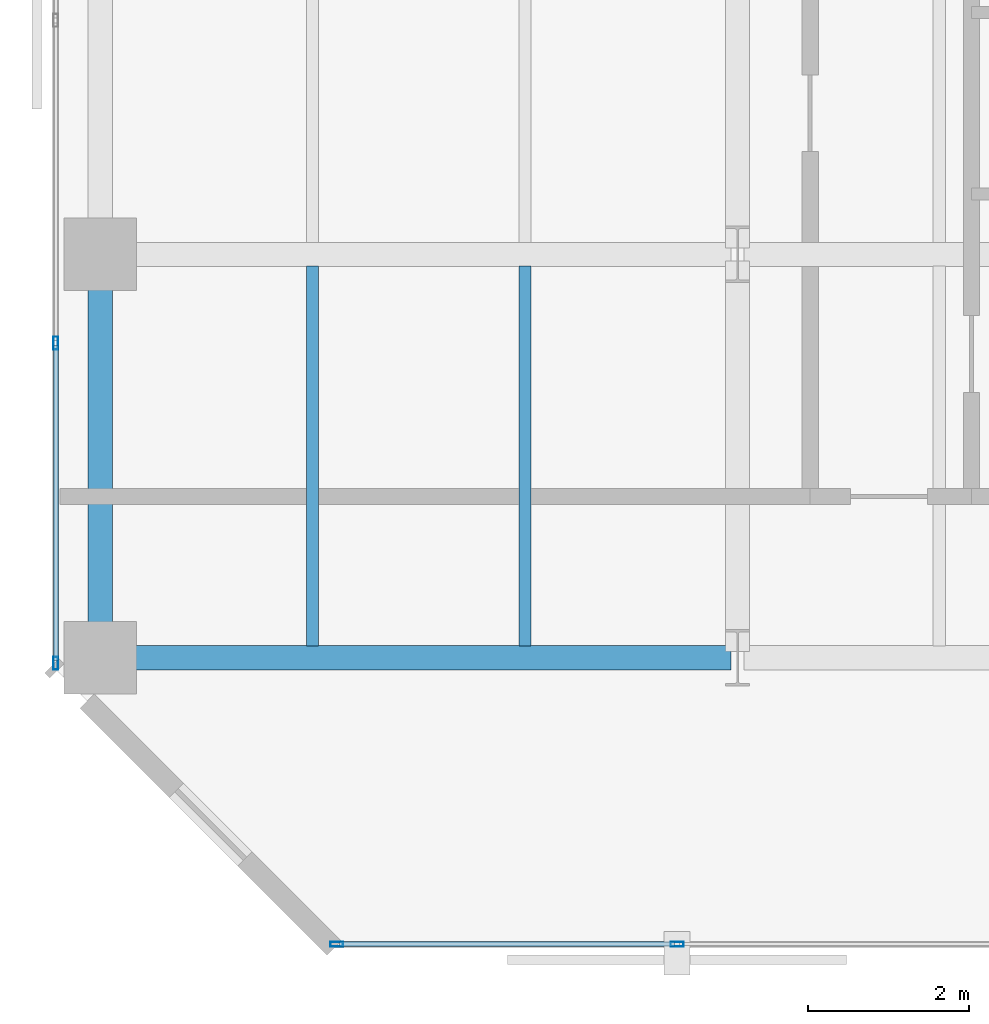
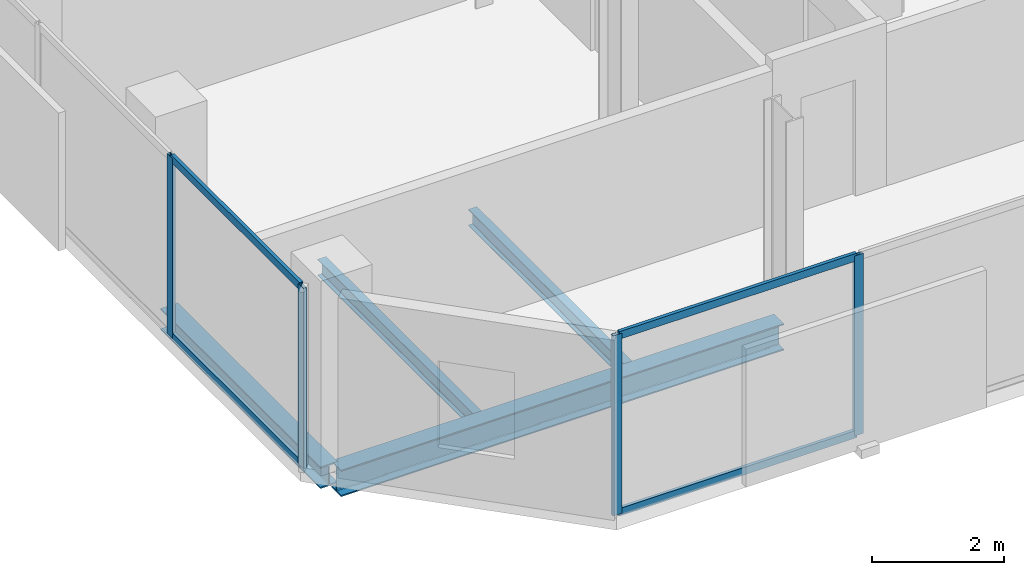
# One storey, part 3 of 34: 8 members, 4 beams, 2 elements without a shape of their own.
"""IFC4 building model written with IfcOpenShell, lengths in metres."""

from ifc_helpers import new_model, si_unit, direction, frame, origin, origin_2d, place, context, subcontext, project, spatial, hollow_rectangle, i_section, extrude, material, layer, layer_set, material_profile, profile_set, type_object, element, aggregate, save


model = new_model("IFC4")

# Units and contexts
model_context = context("Model", 3, precision=1e-05, world=origin(), true_north=direction((0.0, 1.0)))
body_context = subcontext(model_context, "Body", "Model", "MODEL_VIEW")
ifc_project = project(units=[si_unit("LENGTHUNIT", "METRE"), si_unit("AREAUNIT", "SQUARE_METRE"), si_unit("VOLUMEUNIT", "CUBIC_METRE"), si_unit("PLANEANGLEUNIT", "RADIAN"), si_unit("MASSUNIT", "GRAM", prefix="KILO")], contexts=[model_context])

# Site, building, storey
site_placement = place(None, origin())
site = spatial("IfcSite", under=ifc_project, at=site_placement, CompositionType="ELEMENT")
building_placement = place(site_placement, origin())
building = spatial("IfcBuilding", under=site, at=building_placement, Name="Catumbela Crestline Tower", CompositionType="ELEMENT")
storey_placement = place(building_placement, frame((0.0, 0.0, 97.2)))
storey = spatial("IfcBuildingStorey", under=building, at=storey_placement, Name="L24", CompositionType="ELEMENT", Elevation=97.2)

# Beams
ifc_material_1 = material(Name="Structural steel S355J2", Category="steel")
ifc_material_profile_1 = material_profile(ifc_material_1, i_section(OverallWidth=0.3, OverallDepth=0.49, WebThickness=0.012, FlangeThickness=0.023, FilletRadius=0.027, at=origin_2d()), Name="HEA 500")
ifc_profile_set_1 = profile_set([ifc_material_profile_1], Name="Structural steel S355J2")
beam_type_1 = type_object("IfcBeamType", Name="BG-HEA500", PredefinedType="BEAM", material=ifc_profile_set_1)
beam_1_placement = place(storey_placement, frame((0.68, 8.6, -0.505), z_axis=(1.0, 0.0, 0.0), x_axis=(0.0, 1.0, 0.0)))
element("IfcBeam", 1, at=beam_1_placement, inside=storey, type_object=beam_type_1, Name="L24 Beam BM-L24-WEW43", PredefinedType="BEAM", context=body_context, shape_type="SweptSolid", body=[
    extrude(i_section(OverallWidth=0.3, OverallDepth=0.49, WebThickness=0.012, FlangeThickness=0.023, FilletRadius=0.027, at=origin_2d()), origin(), (0.0, 0.0, 1.0), 7.74),
])
ifc_material_profile_2 = material_profile(ifc_material_1, i_section(OverallWidth=0.15, OverallDepth=0.3, WebThickness=0.0071, FlangeThickness=0.0107, FilletRadius=0.015, at=origin_2d()), Name="IPE 300")
ifc_profile_set_2 = profile_set([ifc_material_profile_2], Name="Structural steel S355J2")
beam_type_2 = type_object("IfcBeamType", Name="BJ-IPE300", PredefinedType="JOIST", material=ifc_profile_set_2)
for number, where, z_axis, x_axis, name in (
    (2, (3.233, 8.747, -0.41), (0.0, 1.0, 0.0), (-1.0, 0.0, 0.0), "L24 Joist JS-L24-WG63"),
    (3, (5.867, 8.747, -0.41), (0.0, 1.0, 0.0), (-1.0, 0.0, 0.0), "L24 Joist JS-L24-WG64"),
):
    element("IfcBeam", number, at=place(storey_placement, frame(where, z_axis=z_axis, x_axis=x_axis)), inside=storey, type_object=beam_type_2, Name=name, PredefinedType="JOIST", context=body_context, shape_type="SweptSolid", body=[
        extrude(i_section(OverallWidth=0.15, OverallDepth=0.3, WebThickness=0.0071, FlangeThickness=0.0107, FilletRadius=0.015, at=origin_2d()), origin(), (0.0, 0.0, 1.0), 4.706),
    ])

# Curtain wall, members
ifc_material_2 = material(Name="Aluminium alloy AW-6060-T66", Category="aluminium")
ifc_layer = layer(ifc_material_2, 0.18, Name="Aluminium alloy AW-6060-T66")
ifc_layer_set = layer_set([ifc_layer], Name="Aluminium alloy AW-6060-T66")
curtain_wall_type = type_object("IfcCurtainWallType", Name="CWU-Z2", PredefinedType="USERDEFINED", material=ifc_layer_set)
curtain_wall_1_placement = place(storey_placement, origin())
curtain_wall_1 = element("IfcCurtainWall", 4, at=curtain_wall_1_placement, inside=storey, type_object=curtain_wall_type, Name="L24 Unitised Curtain Wall CW-L24-E0S1", ObjectType="UNITISED", PredefinedType="USERDEFINED")
ifc_material_profile_3 = material_profile(ifc_material_2, hollow_rectangle(XDim=0.06, YDim=0.16, WallThickness=0.004, at=origin_2d()), Name="ALU 160x60x4")
ifc_profile_set_3 = profile_set([ifc_material_profile_3], Name="Aluminium alloy AW-6060-T66")
member_type_1 = type_object("IfcMemberType", Name="MUL-160X60", PredefinedType="MULLION", material=ifc_profile_set_3)
member_1_placement = place(storey_placement, frame((3.5325, 5.05, 0.0), z_axis=(0.0, 0.0, 1.0), x_axis=(0.0, 1.0, 0.0)))
member_1 = element("IfcMember", 5, at=member_1_placement, type_object=member_type_1, Name="CWU-Z2 mullion 1", PredefinedType="MULLION", context=body_context, shape_type="SweptSolid", body=[
    extrude(hollow_rectangle(XDim=0.06, YDim=0.16, WallThickness=0.004, at=origin_2d()), origin(), (0.0, 0.0, 1.0), 3.33),
])
member_2_placement = place(storey_placement, frame((7.75, 5.05, 0.0), z_axis=(0.0, 0.0, 1.0), x_axis=(0.0, 1.0, 0.0)))
member_2 = element("IfcMember", 6, at=member_2_placement, type_object=member_type_1, Name="CWU-Z2 mullion 2", PredefinedType="MULLION", context=body_context, shape_type="SweptSolid", body=[
    extrude(hollow_rectangle(XDim=0.06, YDim=0.16, WallThickness=0.004, at=origin_2d()), origin(), (0.0, 0.0, 1.0), 3.33),
])

curtain_wall_2_placement = place(storey_placement, origin())
curtain_wall_2 = element("IfcCurtainWall", 7, at=curtain_wall_2_placement, inside=storey, type_object=curtain_wall_type, Name="L24 Unitised Curtain Wall CW-L24-E9S1", ObjectType="UNITISED", PredefinedType="USERDEFINED")
member_3_placement = place(storey_placement, frame((0.05, 12.5, 0.0), z_axis=(0.0, 0.0, 1.0), x_axis=(1.0, 0.0, 0.0)))
member_3 = element("IfcMember", 8, at=member_3_placement, type_object=member_type_1, Name="CWU-Z2 mullion 9", PredefinedType="MULLION", context=body_context, shape_type="SweptSolid", body=[
    extrude(hollow_rectangle(XDim=0.06, YDim=0.16, WallThickness=0.004, at=origin_2d()), origin(), (0.0, 0.0, 1.0), 3.33),
])
member_4_placement = place(storey_placement, frame((0.05, 8.5325, 0.0), z_axis=(0.0, 0.0, 1.0), x_axis=(1.0, 0.0, 0.0)))
member_4 = element("IfcMember", 9, at=member_4_placement, type_object=member_type_1, Name="CWU-Z2 mullion 10", PredefinedType="MULLION", context=body_context, shape_type="SweptSolid", body=[
    extrude(hollow_rectangle(XDim=0.06, YDim=0.16, WallThickness=0.004, at=origin_2d()), origin(), (0.0, 0.0, 1.0), 3.33),
])

# Beam
ifc_material_profile_4 = material_profile(ifc_material_1, i_section(OverallWidth=0.3, OverallDepth=0.4, WebThickness=0.0135, FlangeThickness=0.024, FilletRadius=0.027, at=origin_2d()), Name="HEB 400")
ifc_profile_set_4 = profile_set([ifc_material_profile_4], Name="Structural steel S355J2")
beam_type_3 = type_object("IfcBeamType", Name="BS-HEB400", PredefinedType="SPANDREL", material=ifc_profile_set_4)
beam_2_placement = place(storey_placement, frame((0.6, 8.68, -0.46), z_axis=(0.0, 1.0, 0.0), x_axis=(-1.0, 0.0, 0.0)))
element("IfcBeam", 10, at=beam_2_placement, inside=storey, type_object=beam_type_3, Name="L24 Spandrel SP-L24-WNS52", PredefinedType="SPANDREL", context=body_context, shape_type="SweptSolid", body=[
    extrude(i_section(OverallWidth=0.3, OverallDepth=0.4, WebThickness=0.0135, FlangeThickness=0.024, FilletRadius=0.027, at=origin_2d()), origin(), (0.0, 0.0, 1.0), 4.84),
])

# Member
ifc_material_profile_5 = material_profile(ifc_material_2, hollow_rectangle(XDim=0.06, YDim=0.14, WallThickness=0.004, at=origin_2d()), Name="ALU 140x60x4")
ifc_profile_set_5 = profile_set([ifc_material_profile_5], Name="Aluminium alloy AW-6060-T66")
member_type_2 = type_object("IfcMemberType", Name="TRN-140X60", PredefinedType="USERDEFINED", material=ifc_profile_set_5)
member_5_placement = place(storey_placement, frame((3.565, 5.05, 0.03), z_axis=(1.0, 0.0, 0.0), x_axis=(0.0, 1.0, 0.0)))
member_5 = element("IfcMember", 11, at=member_5_placement, type_object=member_type_2, Name="CWU-Z2 transom 1.1", ObjectType="TRANSOM", PredefinedType="USERDEFINED", context=body_context, shape_type="SweptSolid", body=[
    extrude(hollow_rectangle(XDim=0.06, YDim=0.14, WallThickness=0.004, at=origin_2d()), origin(), (0.0, 0.0, 1.0), 4.1525),
])

member_6_placement = place(storey_placement, frame((3.565, 5.05, 3.3), z_axis=(1.0, 0.0, 0.0), x_axis=(0.0, 1.0, 0.0)))
member_6 = element("IfcMember", 12, at=member_6_placement, type_object=member_type_2, Name="CWU-Z2 transom 1.2", ObjectType="TRANSOM", PredefinedType="USERDEFINED", context=body_context, shape_type="SweptSolid", body=[
    extrude(hollow_rectangle(XDim=0.06, YDim=0.14, WallThickness=0.004, at=origin_2d()), origin(), (0.0, 0.0, 1.0), 4.1525),
])

aggregate(curtain_wall_1, [member_1, member_2, member_5, member_6])

member_7_placement = place(storey_placement, frame((0.05, 12.4675, 0.03), z_axis=(0.0, -1.0, 0.0), x_axis=(1.0, 0.0, 0.0)))
member_7 = element("IfcMember", 13, at=member_7_placement, type_object=member_type_2, Name="CWU-Z2 transom 9.1", ObjectType="TRANSOM", PredefinedType="USERDEFINED", context=body_context, shape_type="SweptSolid", body=[
    extrude(hollow_rectangle(XDim=0.06, YDim=0.14, WallThickness=0.004, at=origin_2d()), origin(), (0.0, 0.0, 1.0), 3.9025),
])

member_8_placement = place(storey_placement, frame((0.05, 12.4675, 3.3), z_axis=(0.0, -1.0, 0.0), x_axis=(1.0, 0.0, 0.0)))
member_8 = element("IfcMember", 14, at=member_8_placement, type_object=member_type_2, Name="CWU-Z2 transom 9.2", ObjectType="TRANSOM", PredefinedType="USERDEFINED", context=body_context, shape_type="SweptSolid", body=[
    extrude(hollow_rectangle(XDim=0.06, YDim=0.14, WallThickness=0.004, at=origin_2d()), origin(), (0.0, 0.0, 1.0), 3.9025),
])

aggregate(curtain_wall_2, [member_3, member_4, member_7, member_8])

save(model, "model.ifc")
